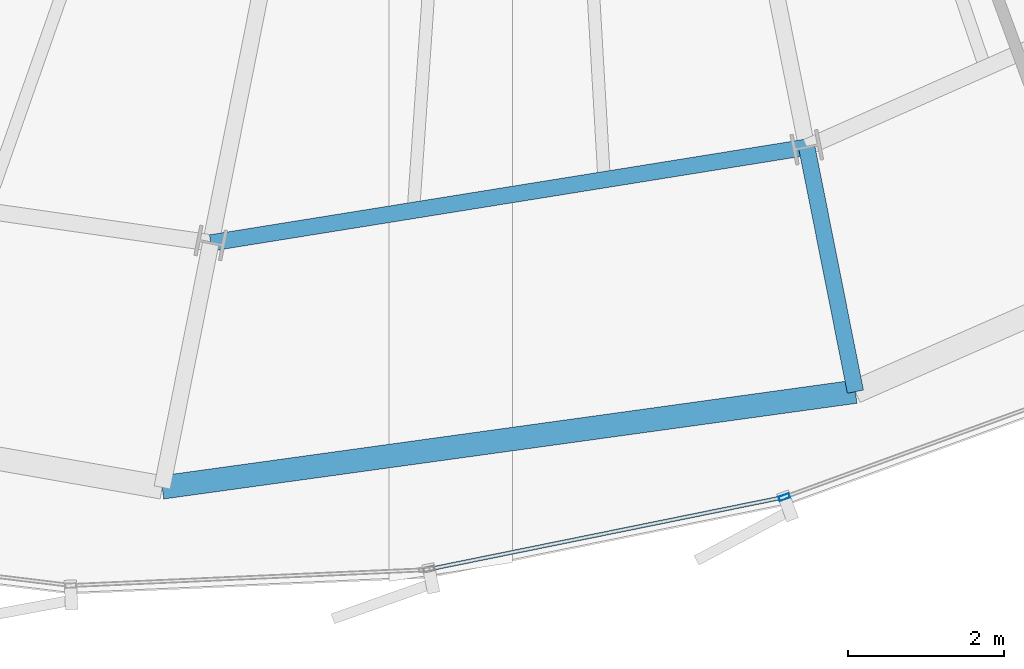
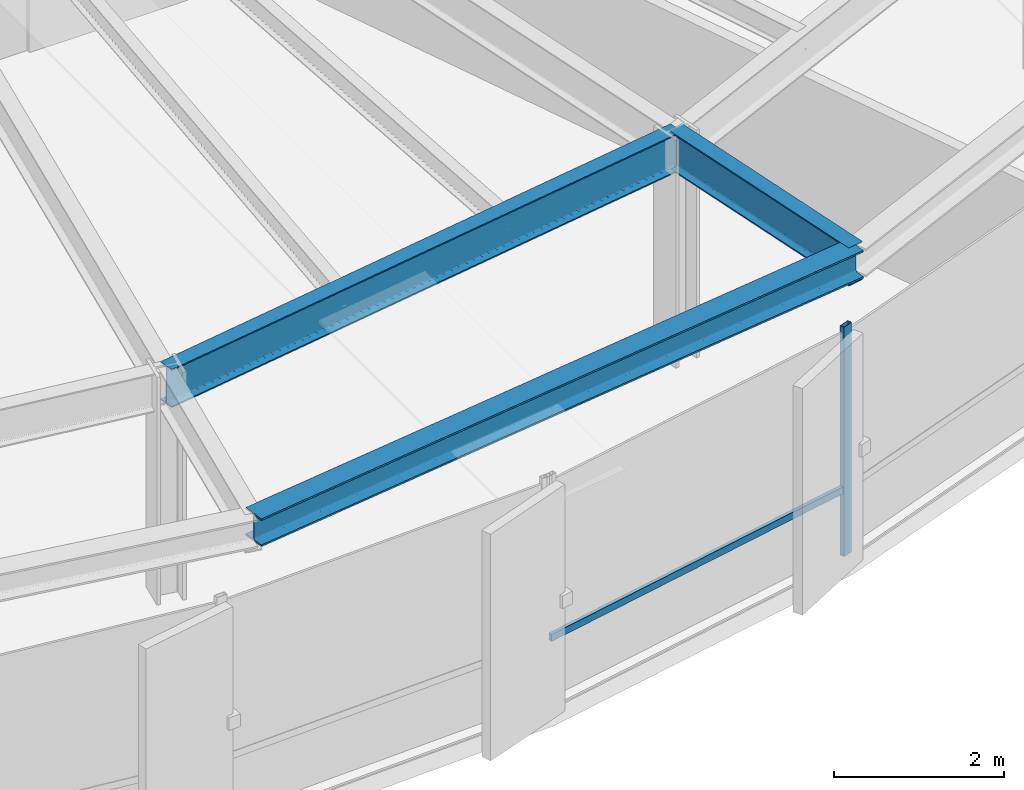
# One storey, part 7 of 36: 3 beams, 2 members, 1 element without a shape of its own.
"""IFC4 building model written with IfcOpenShell, lengths in metres."""

from ifc_helpers import new_model, si_unit, direction, frame, origin, origin_2d, place, context, subcontext, project, spatial, hollow_rectangle, i_section, extrude, source, transform, mapped, material, layer, layer_set, material_profile, profile_set, type_object, element, aggregate, save


model = new_model("IFC4")

# Units and contexts
model_context = context("Model", 3, precision=1e-05, world=origin(), true_north=direction((0.0, 1.0)))
body_context = subcontext(model_context, "Body", "Model", "MODEL_VIEW")
ifc_project = project(units=[si_unit("LENGTHUNIT", "METRE"), si_unit("AREAUNIT", "SQUARE_METRE"), si_unit("VOLUMEUNIT", "CUBIC_METRE"), si_unit("PLANEANGLEUNIT", "RADIAN"), si_unit("MASSUNIT", "GRAM", prefix="KILO"), si_unit("THERMODYNAMICTEMPERATUREUNIT", "KELVIN")], contexts=[model_context])

# Site, building, storey
site_placement = place(None, origin())
site = spatial("IfcSite", under=ifc_project, at=site_placement, CompositionType="ELEMENT")
building_placement = place(site_placement, origin())
building = spatial("IfcBuilding", under=site, at=building_placement, Name="Kethvar Cultural Tower", CompositionType="ELEMENT")
storey_placement = place(building_placement, frame((0.0, 0.0, 164.300048828125)))
storey = spatial("IfcBuildingStorey", under=building, at=storey_placement, Name="L42", CompositionType="ELEMENT", Elevation=164.300048828125)

# Beams
ifc_material_1 = material(Name="Steel S355J2", Category="steel")
ifc_material_profile_1 = material_profile(ifc_material_1, i_section(OverallWidth=0.2099609375, OverallDepth=0.550048828125, WebThickness=0.010986328125, FlangeThickness=0.01708984375, FilletRadius=0.02392578125, at=origin_2d()), Name="Steel S355J2 — IPE550")
ifc_profile_set_1 = profile_set([ifc_material_profile_1], Name="Steel S355J2 — IPE550")
beam_type_1 = type_object("IfcBeamType", Name="BM-IPE550", PredefinedType="BEAM", material=ifc_profile_set_1)
shared_shape_1 = source(origin(), body_context, "Body", "SweptSolid", [
    extrude(i_section(OverallWidth=0.2099609375, OverallDepth=0.550048828125, WebThickness=0.010986328125, FlangeThickness=0.01708984375, FilletRadius=0.02392578125, at=origin_2d()), origin(), (0.0, 0.0, 1.0), 3.2001953125),
])
beam_1_placement = place(storey_placement, frame((50.50341796875, 9.182373046875, 3.02294921875), z_axis=(0.195074368086, -0.980788453702, 0.0), x_axis=(0.980788453702, 0.195074368086, 0.0)))
element("IfcBeam", 1, at=beam_1_placement, inside=storey, type_object=beam_type_1, Name="L42 Perimeter Cantilever Beam RC-13", PredefinedType="BEAM", context=body_context, shape_type="MappedRepresentation", body=[
    mapped(shared_shape_1, transform((0.0, 0.0, 0.0), scale=1.0)),
])
shared_shape_2 = source(origin(), body_context, "Body", "SweptSolid", [
    extrude(i_section(OverallWidth=0.2099609375, OverallDepth=0.550048828125, WebThickness=0.010986328125, FlangeThickness=0.01708984375, FilletRadius=0.02392578125, at=origin_2d()), origin(), (0.0, 0.0, 1.0), 7.749267578125),
])
beam_2_placement = place(storey_placement, frame((42.852294921875, 7.95361328125, 3.02294921875), z_axis=(0.987348257569, 0.158566762831, 0.0), x_axis=(-0.158566762831, 0.987348257569, 0.0)))
element("IfcBeam", 2, at=beam_2_placement, inside=storey, type_object=beam_type_1, Name="L42 Column Ring Tie Beam CR-12", PredefinedType="BEAM", context=body_context, shape_type="MappedRepresentation", body=[
    mapped(shared_shape_2, transform((0.0, 0.0, 0.0), scale=1.0)),
])
ifc_material_profile_2 = material_profile(ifc_material_1, i_section(OverallWidth=0.300048828125, OverallDepth=0.39990234375, WebThickness=0.013427734375, FlangeThickness=0.02392578125, FilletRadius=0.027099609375, at=origin_2d()), Name="Steel S355J2 — HEB400")
ifc_profile_set_2 = profile_set([ifc_material_profile_2], Name="Steel S355J2 — HEB400")
beam_type_2 = type_object("IfcBeamType", Name="BM-SP400", PredefinedType="SPANDREL", material=ifc_profile_set_2)
shared_shape_3 = source(origin(), body_context, "Body", "SweptSolid", [
    extrude(i_section(OverallWidth=0.300048828125, OverallDepth=0.39990234375, WebThickness=0.013427734375, FlangeThickness=0.02392578125, FilletRadius=0.027099609375, at=origin_2d()), origin(), (0.0, 0.0, 1.0), 8.984130859375),
])
beam_3_placement = place(storey_placement, frame((42.22802734375, 4.81494140625, 3.097900390625), z_axis=(0.990602728928, 0.136770733127, 0.0), x_axis=(-0.136770733127, 0.990602728928, 0.0)))
element("IfcBeam", 3, at=beam_3_placement, inside=storey, type_object=beam_type_2, Name="L42 Perimeter Spandrel Beam SP-12", PredefinedType="SPANDREL", context=body_context, shape_type="MappedRepresentation", body=[
    mapped(shared_shape_3, transform((0.0, 0.0, 0.0), scale=1.0)),
])

# Curtain wall, members
ifc_material_2 = material(Name="Aluminium 6063-T6", Category="aluminium")
ifc_layer = layer(ifc_material_2, 0.179931640625, Name="Aluminium 6063-T6", Category="aluminium")
ifc_layer_set = layer_set([ifc_layer], Name="Aluminium 6063-T6 (180 mm)")
curtain_wall_type = type_object("IfcCurtainWallType", Name="CW-SYS-04-Z34", PredefinedType="NOTDEFINED", material=ifc_layer_set)
curtain_wall_placement = place(storey_placement, origin())
curtain_wall = element("IfcCurtainWall", 4, at=curtain_wall_placement, inside=storey, type_object=curtain_wall_type, Name="L42 Curtain Wall Run 05", PredefinedType="NOTDEFINED")
ifc_material_profile_3 = material_profile(ifc_material_2, hollow_rectangle(XDim=0.06005859375, YDim=0.139892578125, WallThickness=0.0048828125, at=origin_2d()), Name="Aluminium 6063-T6 — RHS140x60x5")
ifc_profile_set_3 = profile_set([ifc_material_profile_3], Name="Aluminium 6063-T6 — RHS140x60x5")
member_type_1 = type_object("IfcMemberType", Name="CW-SYS-04-Z34-MUL", PredefinedType="MULLION", material=ifc_profile_set_3)
shared_shape_4 = source(origin(), body_context, "Body", "SweptSolid", [
    extrude(hollow_rectangle(XDim=0.06005859375, YDim=0.139892578125, WallThickness=0.0048828125, at=origin_2d()), origin(), (0.0, 0.0, 1.0), 3.300048828125),
])
member_1_placement = place(storey_placement, frame((50.21484375, 4.689697265625, 0.0), z_axis=(0.0, 0.0, 1.0), x_axis=(-0.342216944585, 0.939620967645, 0.0)))
member_1 = element("IfcMember", 5, at=member_1_placement, type_object=member_type_1, Name="CW-L42-R05 Mullion 2", PredefinedType="MULLION", context=body_context, shape_type="MappedRepresentation", body=[
    mapped(shared_shape_4, transform((0.0, 0.0, 0.0), scale=1.0)),
])
ifc_material_profile_4 = material_profile(ifc_material_2, hollow_rectangle(XDim=0.050048828125, YDim=0.10009765625, WallThickness=0.00390625, at=origin_2d()), Name="Aluminium 6063-T6 — RHS100x50x4")
ifc_profile_set_4 = profile_set([ifc_material_profile_4], Name="Aluminium 6063-T6 — RHS100x50x4")
member_type_2 = type_object("IfcMemberType", Name="CW-SYS-04-Z34-TRN", PredefinedType="USERDEFINED", material=ifc_profile_set_4)
shared_shape_5 = source(origin(), body_context, "Body", "SweptSolid", [
    extrude(hollow_rectangle(XDim=0.050048828125, YDim=0.10009765625, WallThickness=0.00390625, at=origin_2d()), origin(), (0.0, 0.0, 1.0), 4.623046875),
])
member_2_placement = place(storey_placement, frame((45.65771484375, 3.765380859375, 0.949951171875), z_axis=(0.980001643322, 0.198989394408, 0.0), x_axis=(-0.198989394408, 0.980001643322, 0.0)))
member_2 = element("IfcMember", 6, at=member_2_placement, type_object=member_type_2, Name="CW-L42-R05 Transom 1", ObjectType="TRANSOM", PredefinedType="USERDEFINED", context=body_context, shape_type="MappedRepresentation", body=[
    mapped(shared_shape_5, transform((0.0, 0.0, 0.0), scale=1.0)),
])
aggregate(curtain_wall, [member_1, member_2])

save(model, "model.ifc")
